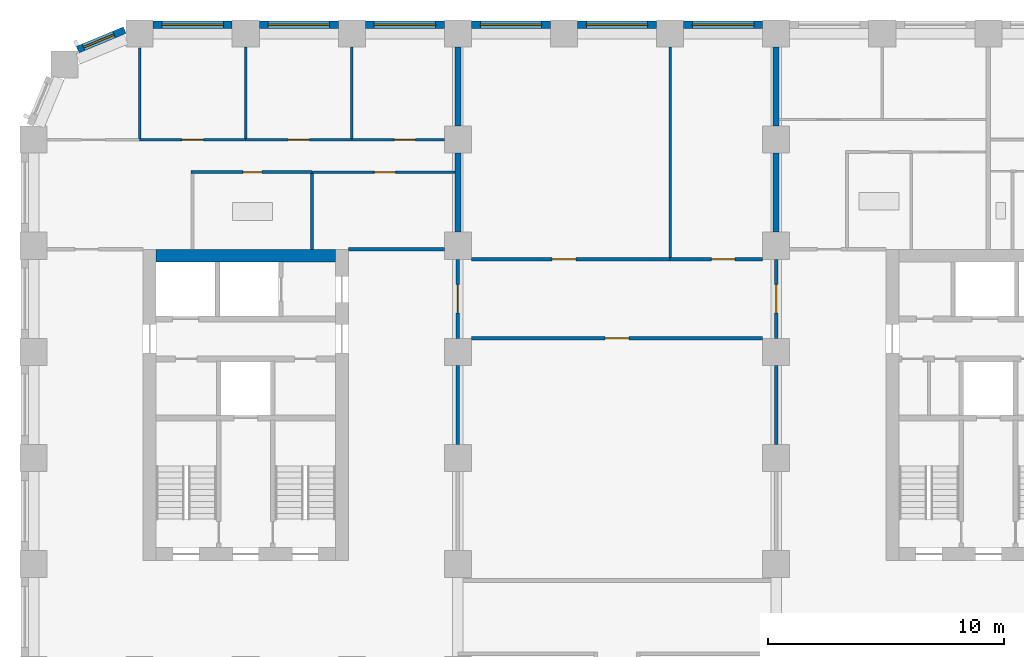
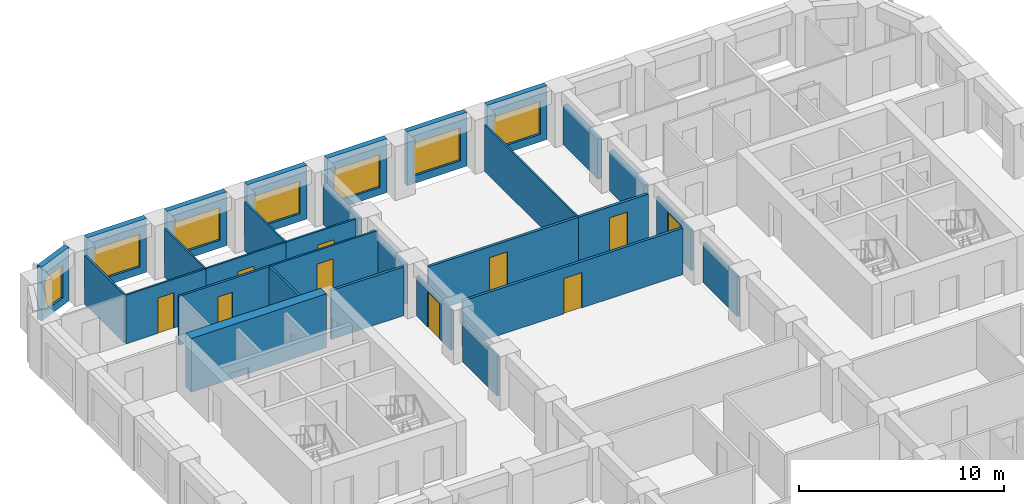
# One storey, part 7 of 12: 30 walls, 10 doors, 7 windows, 17 openings.
"""IFC4 building model written with IfcOpenShell, lengths in metres."""

from ifc_helpers import new_model, si_unit, direction, frame, frame_2d, origin, place, context, subcontext, project, spatial, rectangle, extrude, material, layer, layer_set, type_object, element, fill, save


model = new_model("IFC4")

# Units and contexts
model_context = context("Model", 3, precision=1e-05, world=origin(), true_north=direction((0.0, 1.0)))
body_context = subcontext(model_context, "Body", "Model", "MODEL_VIEW")
ifc_project = project(units=[si_unit("LENGTHUNIT", "METRE"), si_unit("AREAUNIT", "SQUARE_METRE"), si_unit("VOLUMEUNIT", "CUBIC_METRE"), si_unit("PLANEANGLEUNIT", "RADIAN"), si_unit("MASSUNIT", "GRAM", prefix="KILO")], contexts=[model_context])

# Site, building, storey
site_placement = place(None, origin())
site = spatial("IfcSite", under=ifc_project, at=site_placement, CompositionType="ELEMENT")
building_placement = place(site_placement, origin())
building = spatial("IfcBuilding", under=site, at=building_placement, Name="Girih Gate Residences", CompositionType="ELEMENT")
storey_placement = place(building_placement, frame((0.0, 0.0, 115.199951171875)))
storey = spatial("IfcBuildingStorey", under=building, at=storey_placement, Name="L32", CompositionType="ELEMENT", Elevation=115.199951171875)

# Walls
ifc_material_1 = material(Name="Gypsum board on steel studs", Category="steel")
ifc_layer_1 = layer(ifc_material_1, 0.25)
ifc_layer_set_1 = layer_set([ifc_layer_1], Name="Acoustic separating wall 250 mm")
wall_type_1 = type_object("IfcWallType", Name="Acoustic separating wall 250 mm", PredefinedType="PARTITIONING", material=ifc_layer_set_1)
for number, where, z_axis, x_axis, name in (
    (1, (18.0, 45.574951171875, 0.0), (0.0, 0.0, 1.0), (0.0, 1.0, 0.0), "L32 partition"),
    (2, (18.0, 41.074951171875, 0.0), (0.0, 0.0, 1.0), (0.0, 1.0, 0.0), "L32 partition"),
    (3, (31.5, 41.074951171875, 0.0), (0.0, 0.0, 1.0), (0.0, 1.0, 0.0), "L32 partition"),
    (4, (31.5, 45.574951171875, 0.0), (0.0, 0.0, 1.0), (0.0, 1.0, 0.0), "L32 partition"),
):
    element("IfcWall", number, at=place(storey_placement, frame(where, z_axis=z_axis, x_axis=x_axis)), inside=storey, type_object=wall_type_1, Name=name, PredefinedType="PARTITIONING", context=body_context, shape_type="SweptSolid", body=[
        extrude(rectangle(XDim=3.35009765625, YDim=0.25, at=frame_2d((1.675048828125, 0.0))), origin(), (0.0, 0.0, 1.0), 2.380126953125),
    ])
ifc_layer_2 = layer(ifc_material_1, 0.14990234375)
ifc_layer_set_2 = layer_set([ifc_layer_2], Name="Compartment wall 150 mm")
wall_type_2 = type_object("IfcWallType", Name="Compartment wall 150 mm", PredefinedType="PARTITIONING", material=ifc_layer_set_2)
wall_1_placement = place(storey_placement, frame((13.35009765625, 40.35009765625, 0.0), z_axis=(0.0, 0.0, 1.0), x_axis=(1.0, 0.0, 0.0)))
element("IfcWall", 5, at=wall_1_placement, inside=storey, type_object=wall_type_2, Name="L32 partition", PredefinedType="PARTITIONING", context=body_context, shape_type="SweptSolid", body=[
    extrude(rectangle(XDim=4.074951171875, YDim=0.14990234375, at=frame_2d((2.03759765625, 0.0))), origin(), (0.0, 0.0, 1.0), 2.900146484375),
])

# Wall, opening, door
wall_2_placement = place(storey_placement, frame((18.574951171875, 39.925048828125, 0.0), z_axis=(0.0, 0.0, 1.0), x_axis=(1.0, 0.0, 0.0)))
wall_2 = element("IfcWall", 6, at=wall_2_placement, inside=storey, type_object=wall_type_2, Name="L32 partition", PredefinedType="PARTITIONING", context=body_context, shape_type="SweptSolid", body=[
    extrude(rectangle(XDim=8.425048828125, YDim=0.14990234375, at=frame_2d((4.21240234375, 0.0))), origin(), (0.0, 0.0, 1.0), 2.75),
])
opening_1_placement = place(wall_2_placement, frame((3.425048828125, 0.0, 0.0)))
opening_1 = element("IfcOpeningElement", 7, at=opening_1_placement, cuts=wall_2, Name="Opening A32-039", PredefinedType="OPENING", context=body_context, shape_type="SweptSolid", body=[
    extrude(rectangle(XDim=1.0, YDim=2.10009765625, at=frame_2d((0.5, 1.050048828125))), frame((0.0, 0.0849609375, 0.0), z_axis=(0.0, -1.0, 0.0), x_axis=(1.0, 0.0, 0.0)), (0.0, 0.0, 1.0), 0.169921875),
])
ifc_material_2 = material(Name="Timber, fire-rated core", Category="wood")
door_type_1 = type_object("IfcDoorType", Name="Amenity room door 1000x2100 FD30S", OperationType="NOTDEFINED", PredefinedType="DOOR", material=ifc_material_2)
door_1_placement = place(opening_1_placement, origin())
door_1 = element("IfcDoor", 8, at=door_1_placement, inside=storey, type_object=door_type_1, Name="Door A32-039", OperationType="SINGLE_SWING_LEFT", OverallHeight=2.10009765625, OverallWidth=1.0, PredefinedType="DOOR", context=body_context, shape_type="SweptSolid", body=[
    extrude(rectangle(XDim=1.0, YDim=2.10009765625, at=frame_2d((0.5, 1.050048828125))), frame((0.0, 0.02490234375, 0.0), z_axis=(0.0, -1.0, 0.0), x_axis=(1.0, 0.0, 0.0)), (0.0, 0.0, 1.0), 0.050048828125),
])
fill(opening_1, door_1)

wall_3_placement = place(storey_placement, frame((27.0, 39.925048828125, 0.0), z_axis=(0.0, 0.0, 1.0), x_axis=(1.0, 0.0, 0.0)))
wall_3 = element("IfcWall", 9, at=wall_3_placement, inside=storey, type_object=wall_type_2, Name="L32 partition", PredefinedType="PARTITIONING", context=body_context, shape_type="SweptSolid", body=[
    extrude(rectangle(XDim=3.925048828125, YDim=0.14990234375, at=frame_2d((1.96240234375, 0.0))), origin(), (0.0, 0.0, 1.0), 2.75),
])
opening_2_placement = place(wall_3_placement, frame((1.75, 0.0, 0.0)))
opening_2 = element("IfcOpeningElement", 10, at=opening_2_placement, cuts=wall_3, Name="Opening A32-040", PredefinedType="OPENING", context=body_context, shape_type="SweptSolid", body=[
    extrude(rectangle(XDim=1.0, YDim=2.10009765625, at=frame_2d((0.5, 1.050048828125))), frame((0.0, 0.0849609375, 0.0), z_axis=(0.0, -1.0, 0.0), x_axis=(1.0, 0.0, 0.0)), (0.0, 0.0, 1.0), 0.169921875),
])
door_2_placement = place(opening_2_placement, origin())
door_2 = element("IfcDoor", 11, at=door_2_placement, inside=storey, type_object=door_type_1, Name="Door A32-040", OperationType="SINGLE_SWING_RIGHT", OverallHeight=2.10009765625, OverallWidth=1.0, PredefinedType="DOOR", context=body_context, shape_type="SweptSolid", body=[
    extrude(rectangle(XDim=1.0, YDim=2.10009765625, at=frame_2d((0.5, 1.050048828125))), frame((0.0, 0.02490234375, 0.0), z_axis=(0.0, -1.0, 0.0), x_axis=(1.0, 0.0, 0.0)), (0.0, 0.0, 1.0), 0.050048828125),
])
fill(opening_2, door_2)

wall_4_placement = place(storey_placement, frame((30.925048828125, 36.574951171875, 0.0), z_axis=(0.0, 0.0, 1.0), x_axis=(-1.0, 0.0, 0.0)))
wall_4 = element("IfcWall", 12, at=wall_4_placement, inside=storey, type_object=wall_type_2, Name="L32 partition", PredefinedType="PARTITIONING", context=body_context, shape_type="SweptSolid", body=[
    extrude(rectangle(XDim=12.35009765625, YDim=0.14990234375, at=frame_2d((6.175048828125, 0.0))), origin(), (0.0, 0.0, 1.0), 2.75),
])
opening_3_placement = place(wall_4_placement, frame((5.675048828125, 0.0, 0.0)))
opening_3 = element("IfcOpeningElement", 13, at=opening_3_placement, cuts=wall_4, Name="Opening A32-041", PredefinedType="OPENING", context=body_context, shape_type="SweptSolid", body=[
    extrude(rectangle(XDim=1.0, YDim=2.10009765625, at=frame_2d((0.5, 1.050048828125))), frame((0.0, 0.0849609375, 0.0), z_axis=(0.0, -1.0, 0.0), x_axis=(1.0, 0.0, 0.0)), (0.0, 0.0, 1.0), 0.169921875),
])
door_3_placement = place(opening_3_placement, origin())
door_3 = element("IfcDoor", 14, at=door_3_placement, inside=storey, type_object=door_type_1, Name="Door A32-041", OperationType="SINGLE_SWING_RIGHT", OverallHeight=2.10009765625, OverallWidth=1.0, PredefinedType="DOOR", context=body_context, shape_type="SweptSolid", body=[
    extrude(rectangle(XDim=1.0, YDim=2.10009765625, at=frame_2d((0.5, 1.050048828125))), frame((0.0, 0.02490234375, 0.0), z_axis=(0.0, -1.0, 0.0), x_axis=(1.0, 0.0, 0.0)), (0.0, 0.0, 1.0), 0.050048828125),
])
fill(opening_3, door_3)

wall_5_placement = place(storey_placement, frame((31.5, 36.574951171875, 0.0), z_axis=(0.0, 0.0, 1.0), x_axis=(0.0, 1.0, 0.0)))
wall_5 = element("IfcWall", 15, at=wall_5_placement, inside=storey, type_object=wall_type_2, Name="L32 partition", PredefinedType="PARTITIONING", context=body_context, shape_type="SweptSolid", body=[
    extrude(rectangle(XDim=3.35009765625, YDim=0.14990234375, at=frame_2d((1.675048828125, 0.0))), origin(), (0.0, 0.0, 1.0), 2.380126953125),
])
opening_4_placement = place(wall_5_placement, frame((1.074951171875, 0.0, 0.0)))
opening_4 = element("IfcOpeningElement", 16, at=opening_4_placement, cuts=wall_5, Name="Opening A32-042", PredefinedType="OPENING", context=body_context, shape_type="SweptSolid", body=[
    extrude(rectangle(XDim=1.199951171875, YDim=2.10009765625, at=frame_2d((0.60009765625, 1.050048828125))), frame((0.0, 0.0849609375, 0.0), z_axis=(0.0, -1.0, 0.0), x_axis=(1.0, 0.0, 0.0)), (0.0, 0.0, 1.0), 0.169921875),
])
door_type_2 = type_object("IfcDoorType", Name="Corridor fire door 1200x2100 FD30S", OperationType="NOTDEFINED", PredefinedType="DOOR", material=ifc_material_2)
door_4_placement = place(opening_4_placement, origin())
door_4 = element("IfcDoor", 17, at=door_4_placement, inside=storey, type_object=door_type_2, Name="Door A32-042", OperationType="SINGLE_SWING_LEFT", OverallHeight=2.10009765625, OverallWidth=1.199951171875, PredefinedType="DOOR", context=body_context, shape_type="SweptSolid", body=[
    extrude(rectangle(XDim=1.199951171875, YDim=2.10009765625, at=frame_2d((0.60009765625, 1.050048828125))), frame((0.0, 0.02490234375, 0.0), z_axis=(0.0, -1.0, 0.0), x_axis=(1.0, 0.0, 0.0)), (0.0, 0.0, 1.0), 0.050048828125),
])
fill(opening_4, door_4)

wall_6_placement = place(storey_placement, frame((18.0, 39.925048828125, 0.0), z_axis=(0.0, 0.0, 1.0), x_axis=(0.0, -1.0, 0.0)))
wall_6 = element("IfcWall", 18, at=wall_6_placement, inside=storey, type_object=wall_type_2, Name="L32 partition", PredefinedType="PARTITIONING", context=body_context, shape_type="SweptSolid", body=[
    extrude(rectangle(XDim=3.35009765625, YDim=0.14990234375, at=frame_2d((1.675048828125, 0.0))), origin(), (0.0, 0.0, 1.0), 2.380126953125),
])
opening_5_placement = place(wall_6_placement, frame((1.074951171875, 0.0, 0.0)))
opening_5 = element("IfcOpeningElement", 19, at=opening_5_placement, cuts=wall_6, Name="Opening A32-043", PredefinedType="OPENING", context=body_context, shape_type="SweptSolid", body=[
    extrude(rectangle(XDim=1.199951171875, YDim=2.10009765625, at=frame_2d((0.60009765625, 1.050048828125))), frame((0.0, 0.0849609375, 0.0), z_axis=(0.0, -1.0, 0.0), x_axis=(1.0, 0.0, 0.0)), (0.0, 0.0, 1.0), 0.169921875),
])
door_5_placement = place(opening_5_placement, origin())
door_5 = element("IfcDoor", 20, at=door_5_placement, inside=storey, type_object=door_type_2, Name="Door A32-043", OperationType="SINGLE_SWING_LEFT", OverallHeight=2.10009765625, OverallWidth=1.199951171875, PredefinedType="DOOR", context=body_context, shape_type="SweptSolid", body=[
    extrude(rectangle(XDim=1.199951171875, YDim=2.10009765625, at=frame_2d((0.60009765625, 1.050048828125))), frame((0.0, 0.02490234375, 0.0), z_axis=(0.0, -1.0, 0.0), x_axis=(1.0, 0.0, 0.0)), (0.0, 0.0, 1.0), 0.050048828125),
])
fill(opening_5, door_5)

# Walls
for number, where, z_axis, x_axis, name in (
    (21, (31.5, 32.074951171875, 0.0), (0.0, 0.0, 1.0), (0.0, 1.0, 0.0), "L32 partition"),
    (22, (18.0, 32.074951171875, 0.0), (0.0, 0.0, 1.0), (0.0, 1.0, 0.0), "L32 partition"),
):
    element("IfcWall", number, at=place(storey_placement, frame(where, z_axis=z_axis, x_axis=x_axis)), inside=storey, type_object=wall_type_2, Name=name, PredefinedType="PARTITIONING", context=body_context, shape_type="SweptSolid", body=[
        extrude(rectangle(XDim=3.35009765625, YDim=0.14990234375, at=frame_2d((1.675048828125, 0.0))), origin(), (0.0, 0.0, 1.0), 2.380126953125),
    ])
ifc_material_3 = material(Name="Concrete C60/75", Category="concrete")
ifc_layer_3 = layer(ifc_material_3, 0.550048828125)
ifc_layer_set_3 = layer_set([ifc_layer_3], Name="Core wall RC 550 Concrete C60/75")
wall_type_3 = type_object("IfcWallType", Name="Core wall RC 550 Concrete C60/75", PredefinedType="SOLIDWALL", material=ifc_layer_set_3)
wall_7_placement = place(storey_placement, frame((5.199951171875, 40.074951171875, 0.0), z_axis=(0.0, 0.0, 1.0), x_axis=(1.0, 0.0, 0.0)))
element("IfcWall", 23, at=wall_7_placement, inside=storey, type_object=wall_type_3, Name="Core wall W-N L32", PredefinedType="SOLIDWALL", context=body_context, shape_type="SweptSolid", body=[
    extrude(rectangle(XDim=7.60009765625, YDim=0.550048828125, at=frame_2d((3.800048828125, 0.0))), origin(), (0.0, 0.0, 1.0), 3.199951171875),
])
ifc_layer_4 = layer(ifc_material_1, 0.10009765625)
ifc_layer_set_4 = layer_set([ifc_layer_4], Name="Partition 100 mm")
wall_type_4 = type_object("IfcWallType", Name="Partition 100 mm", PredefinedType="PARTITIONING", material=ifc_layer_set_4)
wall_8_placement = place(storey_placement, frame((9.0, 45.050048828125, 0.0), z_axis=(0.0, 0.0, 1.0), x_axis=(0.0, 1.0, 0.0)))
element("IfcWall", 24, at=wall_8_placement, inside=storey, type_object=wall_type_4, Name="L32 partition", PredefinedType="PARTITIONING", context=body_context, shape_type="SweptSolid", body=[
    extrude(rectangle(XDim=3.875, YDim=0.10009765625, at=frame_2d((1.9375, 0.0))), origin(), (0.0, 0.0, 1.0), 2.900146484375),
])

# Wall, opening, door
wall_9_placement = place(storey_placement, frame((4.5, 45.0, 0.0), z_axis=(0.0, 0.0, 1.0), x_axis=(1.0, 0.0, 0.0)))
wall_9 = element("IfcWall", 25, at=wall_9_placement, inside=storey, type_object=wall_type_4, Name="L32 partition", PredefinedType="PARTITIONING", context=body_context, shape_type="SweptSolid", body=[
    extrude(rectangle(XDim=4.5, YDim=0.10009765625, at=frame_2d((2.25, 0.0))), origin(), (0.0, 0.0, 1.0), 2.900146484375),
])
opening_6_placement = place(wall_9_placement, frame((1.800048828125, 0.0, 0.0)))
opening_6 = element("IfcOpeningElement", 26, at=opening_6_placement, cuts=wall_9, Name="Opening A32-011", PredefinedType="OPENING", context=body_context, shape_type="SweptSolid", body=[
    extrude(rectangle(XDim=0.89990234375, YDim=2.10009765625, at=frame_2d((0.449951171875, 1.050048828125))), frame((0.0, 0.06005859375, 0.0), z_axis=(0.0, -1.0, 0.0), x_axis=(1.0, 0.0, 0.0)), (0.0, 0.0, 1.0), 0.1201171875),
])
ifc_material_4 = material(Name="Timber", Category="wood")
door_type_3 = type_object("IfcDoorType", Name="Bedroom door 900x2100", OperationType="NOTDEFINED", PredefinedType="DOOR", material=ifc_material_4)
door_6_placement = place(opening_6_placement, origin())
door_6 = element("IfcDoor", 27, at=door_6_placement, inside=storey, type_object=door_type_3, Name="Door A32-011", OperationType="SINGLE_SWING_RIGHT", OverallHeight=2.10009765625, OverallWidth=0.89990234375, PredefinedType="DOOR", context=body_context, shape_type="SweptSolid", body=[
    extrude(rectangle(XDim=0.89990234375, YDim=2.10009765625, at=frame_2d((0.449951171875, 1.050048828125))), frame((0.0, 0.02490234375, 0.0), z_axis=(0.0, -1.0, 0.0), x_axis=(1.0, 0.0, 0.0)), (0.0, 0.0, 1.0), 0.050048828125),
])
fill(opening_6, door_6)

# Walls
wall_10_placement = place(storey_placement, frame((4.5, 45.050048828125, 0.0), z_axis=(0.0, 0.0, 1.0), x_axis=(0.0, 1.0, 0.0)))
element("IfcWall", 28, at=wall_10_placement, inside=storey, type_object=wall_type_4, Name="L32 partition", PredefinedType="PARTITIONING", context=body_context, shape_type="SweptSolid", body=[
    extrude(rectangle(XDim=3.82763671875, YDim=0.10009765625, at=frame_2d((1.913818359375, 0.0))), origin(), (0.0, 0.0, 1.0), 2.900146484375),
])
wall_11_placement = place(storey_placement, frame((13.5, 45.050048828125, 0.0), z_axis=(0.0, 0.0, 1.0), x_axis=(0.0, 1.0, 0.0)))
element("IfcWall", 29, at=wall_11_placement, inside=storey, type_object=wall_type_4, Name="L32 partition", PredefinedType="PARTITIONING", context=body_context, shape_type="SweptSolid", body=[
    extrude(rectangle(XDim=3.875, YDim=0.10009765625, at=frame_2d((1.9375, 0.0))), origin(), (0.0, 0.0, 1.0), 2.900146484375),
])

# Wall, opening, door
wall_12_placement = place(storey_placement, frame((9.0, 45.0, 0.0), z_axis=(0.0, 0.0, 1.0), x_axis=(1.0, 0.0, 0.0)))
wall_12 = element("IfcWall", 30, at=wall_12_placement, inside=storey, type_object=wall_type_4, Name="L32 partition", PredefinedType="PARTITIONING", context=body_context, shape_type="SweptSolid", body=[
    extrude(rectangle(XDim=4.5, YDim=0.10009765625, at=frame_2d((2.25, 0.0))), origin(), (0.0, 0.0, 1.0), 2.900146484375),
])
opening_7_placement = place(wall_12_placement, frame((1.800048828125, 0.0, 0.0)))
opening_7 = element("IfcOpeningElement", 31, at=opening_7_placement, cuts=wall_12, Name="Opening A32-012", PredefinedType="OPENING", context=body_context, shape_type="SweptSolid", body=[
    extrude(rectangle(XDim=0.89990234375, YDim=2.10009765625, at=frame_2d((0.449951171875, 1.050048828125))), frame((0.0, 0.06005859375, 0.0), z_axis=(0.0, -1.0, 0.0), x_axis=(1.0, 0.0, 0.0)), (0.0, 0.0, 1.0), 0.1201171875),
])
door_7_placement = place(opening_7_placement, origin())
door_7 = element("IfcDoor", 32, at=door_7_placement, inside=storey, type_object=door_type_3, Name="Door A32-012", OperationType="SINGLE_SWING_LEFT", OverallHeight=2.10009765625, OverallWidth=0.89990234375, PredefinedType="DOOR", context=body_context, shape_type="SweptSolid", body=[
    extrude(rectangle(XDim=0.89990234375, YDim=2.10009765625, at=frame_2d((0.449951171875, 1.050048828125))), frame((0.0, 0.02490234375, 0.0), z_axis=(0.0, -1.0, 0.0), x_axis=(1.0, 0.0, 0.0)), (0.0, 0.0, 1.0), 0.050048828125),
])
fill(opening_7, door_7)

wall_13_placement = place(storey_placement, frame((13.5, 45.0, 0.0), z_axis=(0.0, 0.0, 1.0), x_axis=(1.0, 0.0, 0.0)))
wall_13 = element("IfcWall", 33, at=wall_13_placement, inside=storey, type_object=wall_type_4, Name="L32 partition", PredefinedType="PARTITIONING", context=body_context, shape_type="SweptSolid", body=[
    extrude(rectangle(XDim=3.925048828125, YDim=0.10009765625, at=frame_2d((1.96240234375, 0.0))), origin(), (0.0, 0.0, 1.0), 2.900146484375),
])
opening_8_placement = place(wall_13_placement, frame((1.800048828125, 0.0, 0.0)))
opening_8 = element("IfcOpeningElement", 34, at=opening_8_placement, cuts=wall_13, Name="Opening A32-013", PredefinedType="OPENING", context=body_context, shape_type="SweptSolid", body=[
    extrude(rectangle(XDim=0.89990234375, YDim=2.10009765625, at=frame_2d((0.449951171875, 1.050048828125))), frame((0.0, 0.06005859375, 0.0), z_axis=(0.0, -1.0, 0.0), x_axis=(1.0, 0.0, 0.0)), (0.0, 0.0, 1.0), 0.1201171875),
])
door_8_placement = place(opening_8_placement, origin())
door_8 = element("IfcDoor", 35, at=door_8_placement, inside=storey, type_object=door_type_3, Name="Door A32-013", OperationType="SINGLE_SWING_RIGHT", OverallHeight=2.10009765625, OverallWidth=0.89990234375, PredefinedType="DOOR", context=body_context, shape_type="SweptSolid", body=[
    extrude(rectangle(XDim=0.89990234375, YDim=2.10009765625, at=frame_2d((0.449951171875, 1.050048828125))), frame((0.0, 0.02490234375, 0.0), z_axis=(0.0, -1.0, 0.0), x_axis=(1.0, 0.0, 0.0)), (0.0, 0.0, 1.0), 0.050048828125),
])
fill(opening_8, door_8)

wall_14_placement = place(storey_placement, frame((17.875, 43.6201171875, 0.0), z_axis=(0.0, 0.0, 1.0), x_axis=(-1.0, 0.0, 0.0)))
wall_14 = element("IfcWall", 36, at=wall_14_placement, inside=storey, type_object=wall_type_4, Name="L32 partition", PredefinedType="PARTITIONING", context=body_context, shape_type="SweptSolid", body=[
    extrude(rectangle(XDim=6.064208984375, YDim=0.10009765625, at=frame_2d((3.0322265625, 0.0))), origin(), (0.0, 0.0, 1.0), 2.900146484375),
])
opening_9_placement = place(wall_14_placement, frame((2.51953125, 0.0, 0.0)))
opening_9 = element("IfcOpeningElement", 37, at=opening_9_placement, cuts=wall_14, Name="Opening A32-014", PredefinedType="OPENING", context=body_context, shape_type="SweptSolid", body=[
    extrude(rectangle(XDim=0.89990234375, YDim=2.10009765625, at=frame_2d((0.449951171875, 1.050048828125))), frame((0.0, 0.06005859375, 0.0), z_axis=(0.0, -1.0, 0.0), x_axis=(1.0, 0.0, 0.0)), (0.0, 0.0, 1.0), 0.1201171875),
])
door_type_4 = type_object("IfcDoorType", Name="Kitchen door 900x2100", OperationType="NOTDEFINED", PredefinedType="DOOR", material=ifc_material_4)
door_9_placement = place(opening_9_placement, origin())
door_9 = element("IfcDoor", 38, at=door_9_placement, inside=storey, type_object=door_type_4, Name="Door A32-014", OperationType="SINGLE_SWING_LEFT", OverallHeight=2.10009765625, OverallWidth=0.89990234375, PredefinedType="DOOR", context=body_context, shape_type="SweptSolid", body=[
    extrude(rectangle(XDim=0.89990234375, YDim=2.10009765625, at=frame_2d((0.449951171875, 1.050048828125))), frame((0.0, 0.02490234375, 0.0), z_axis=(0.0, -1.0, 0.0), x_axis=(1.0, 0.0, 0.0)), (0.0, 0.0, 1.0), 0.050048828125),
])
fill(opening_9, door_9)

# Wall
wall_15_placement = place(storey_placement, frame((27.0, 40.0, 0.0), z_axis=(0.0, 0.0, 1.0), x_axis=(0.0, 1.0, 0.0)))
element("IfcWall", 39, at=wall_15_placement, inside=storey, type_object=wall_type_4, Name="L32 partition", PredefinedType="PARTITIONING", context=body_context, shape_type="SweptSolid", body=[
    extrude(rectangle(XDim=8.925048828125, YDim=0.10009765625, at=frame_2d((4.46240234375, 0.0))), origin(), (0.0, 0.0, 1.0), 2.75),
])

# Wall, opening, window
ifc_material_5 = material(Name="Precast concrete C50/60", Category="concrete")
ifc_layer_5 = layer(ifc_material_5, 0.080078125, Name="Outer leaf")
ifc_material_6 = material(Name="Rigid PIR insulation")
ifc_layer_6 = layer(ifc_material_6, 0.14990234375, Name="Insulation")
ifc_material_7 = material(Name="Precast concrete C40/50", Category="concrete")
ifc_layer_7 = layer(ifc_material_7, 0.070068359375, Name="Inner leaf")
ifc_layer_set_5 = layer_set([ifc_layer_5, ifc_layer_6, ifc_layer_7], Name="Precast concrete C50/60 external wall 300")
wall_type_5 = type_object("IfcWallType", Name="Precast concrete C50/60 external wall 300", PredefinedType="SOLIDWALL", material=ifc_layer_set_5)
wall_16_placement = place(storey_placement, frame((27.574951171875, 49.875, 0.0), z_axis=(0.0, 0.0, 1.0), x_axis=(1.0, 0.0, 0.0)))
wall_16 = element("IfcWall", 40, at=wall_16_placement, inside=storey, type_object=wall_type_5, Name="External wall N0450_0495.3", PredefinedType="SOLIDWALL", context=body_context, shape_type="SweptSolid", body=[
    extrude(rectangle(XDim=3.35009765625, YDim=0.300048828125, at=frame_2d((1.675048828125, 0.0))), origin(), (0.0, 0.0, 1.0), 3.199951171875),
])
opening_10_placement = place(wall_16_placement, frame((0.375, 0.0, 0.449951171875)))
opening_10 = element("IfcOpeningElement", 41, at=opening_10_placement, cuts=wall_16, Name="Opening W-1A", PredefinedType="OPENING", context=body_context, shape_type="SweptSolid", body=[
    extrude(rectangle(XDim=2.60009765625, YDim=1.949951171875, at=frame_2d((1.300048828125, 0.97509765625))), frame((0.0, 0.159912109375, 0.0), z_axis=(0.0, -1.0, 0.0), x_axis=(1.0, 0.0, 0.0)), (0.0, 0.0, 1.0), 0.320068359375),
])
ifc_material_8 = material(Name="Double glazing in aluminium frame", Category="aluminium")
window_type_1 = type_object("IfcWindowType", Name="Window W-1A 2600x1950", PartitioningType="SINGLE_PANEL", PredefinedType="WINDOW", material=ifc_material_8)
window_1_placement = place(opening_10_placement, origin())
window_1 = element("IfcWindow", 42, at=window_1_placement, inside=storey, type_object=window_type_1, Name="Window W-1A N0450_0495.3", OverallHeight=1.949951171875, OverallWidth=2.60009765625, PartitioningType="SINGLE_PANEL", PredefinedType="WINDOW", context=body_context, shape_type="SweptSolid", body=[
    extrude(rectangle(XDim=2.60009765625, YDim=1.949951171875, at=frame_2d((1.300048828125, 0.97509765625))), frame((0.0, 0.030029296875, 0.0), z_axis=(0.0, -1.0, 0.0), x_axis=(1.0, 0.0, 0.0)), (0.0, 0.0, 1.0), 0.06005859375),
])
fill(opening_10, window_1)

wall_17_placement = place(storey_placement, frame((23.074951171875, 49.875, 0.0), z_axis=(0.0, 0.0, 1.0), x_axis=(1.0, 0.0, 0.0)))
wall_17 = element("IfcWall", 43, at=wall_17_placement, inside=storey, type_object=wall_type_5, Name="External wall N0450_0495.4", PredefinedType="SOLIDWALL", context=body_context, shape_type="SweptSolid", body=[
    extrude(rectangle(XDim=3.35009765625, YDim=0.300048828125, at=frame_2d((1.675048828125, 0.0))), origin(), (0.0, 0.0, 1.0), 3.199951171875),
])
opening_11_placement = place(wall_17_placement, frame((0.375, 0.0, 0.449951171875)))
opening_11 = element("IfcOpeningElement", 44, at=opening_11_placement, cuts=wall_17, Name="Opening W-1A", PredefinedType="OPENING", context=body_context, shape_type="SweptSolid", body=[
    extrude(rectangle(XDim=2.60009765625, YDim=1.949951171875, at=frame_2d((1.300048828125, 0.97509765625))), frame((0.0, 0.159912109375, 0.0), z_axis=(0.0, -1.0, 0.0), x_axis=(1.0, 0.0, 0.0)), (0.0, 0.0, 1.0), 0.320068359375),
])
window_2_placement = place(opening_11_placement, origin())
window_2 = element("IfcWindow", 45, at=window_2_placement, inside=storey, type_object=window_type_1, Name="Window W-1A N0450_0495.4", OverallHeight=1.949951171875, OverallWidth=2.60009765625, PartitioningType="SINGLE_PANEL", PredefinedType="WINDOW", context=body_context, shape_type="SweptSolid", body=[
    extrude(rectangle(XDim=2.60009765625, YDim=1.949951171875, at=frame_2d((1.300048828125, 0.97509765625))), frame((0.0, 0.030029296875, 0.0), z_axis=(0.0, -1.0, 0.0), x_axis=(1.0, 0.0, 0.0)), (0.0, 0.0, 1.0), 0.06005859375),
])
fill(opening_11, window_2)

wall_18_placement = place(storey_placement, frame((18.574951171875, 49.875, 0.0), z_axis=(0.0, 0.0, 1.0), x_axis=(1.0, 0.0, 0.0)))
wall_18 = element("IfcWall", 46, at=wall_18_placement, inside=storey, type_object=wall_type_5, Name="External wall N0450_0495.5", PredefinedType="SOLIDWALL", context=body_context, shape_type="SweptSolid", body=[
    extrude(rectangle(XDim=3.35009765625, YDim=0.300048828125, at=frame_2d((1.675048828125, 0.0))), origin(), (0.0, 0.0, 1.0), 3.199951171875),
])
opening_12_placement = place(wall_18_placement, frame((0.375, 0.0, 0.449951171875)))
opening_12 = element("IfcOpeningElement", 47, at=opening_12_placement, cuts=wall_18, Name="Opening W-1A", PredefinedType="OPENING", context=body_context, shape_type="SweptSolid", body=[
    extrude(rectangle(XDim=2.60009765625, YDim=1.949951171875, at=frame_2d((1.300048828125, 0.97509765625))), frame((0.0, 0.159912109375, 0.0), z_axis=(0.0, -1.0, 0.0), x_axis=(1.0, 0.0, 0.0)), (0.0, 0.0, 1.0), 0.320068359375),
])
window_3_placement = place(opening_12_placement, origin())
window_3 = element("IfcWindow", 48, at=window_3_placement, inside=storey, type_object=window_type_1, Name="Window W-1A N0450_0495.5", OverallHeight=1.949951171875, OverallWidth=2.60009765625, PartitioningType="SINGLE_PANEL", PredefinedType="WINDOW", context=body_context, shape_type="SweptSolid", body=[
    extrude(rectangle(XDim=2.60009765625, YDim=1.949951171875, at=frame_2d((1.300048828125, 0.97509765625))), frame((0.0, 0.030029296875, 0.0), z_axis=(0.0, -1.0, 0.0), x_axis=(1.0, 0.0, 0.0)), (0.0, 0.0, 1.0), 0.06005859375),
])
fill(opening_12, window_3)

wall_19_placement = place(storey_placement, frame((14.074951171875, 49.875, 0.0), z_axis=(0.0, 0.0, 1.0), x_axis=(1.0, 0.0, 0.0)))
wall_19 = element("IfcWall", 49, at=wall_19_placement, inside=storey, type_object=wall_type_5, Name="External wall N0450_0495.6", PredefinedType="SOLIDWALL", context=body_context, shape_type="SweptSolid", body=[
    extrude(rectangle(XDim=3.35009765625, YDim=0.300048828125, at=frame_2d((1.675048828125, 0.0))), origin(), (0.0, 0.0, 1.0), 3.199951171875),
])
opening_13_placement = place(wall_19_placement, frame((0.375, 0.0, 0.449951171875)))
opening_13 = element("IfcOpeningElement", 50, at=opening_13_placement, cuts=wall_19, Name="Opening W-1A", PredefinedType="OPENING", context=body_context, shape_type="SweptSolid", body=[
    extrude(rectangle(XDim=2.60009765625, YDim=1.949951171875, at=frame_2d((1.300048828125, 0.97509765625))), frame((0.0, 0.159912109375, 0.0), z_axis=(0.0, -1.0, 0.0), x_axis=(1.0, 0.0, 0.0)), (0.0, 0.0, 1.0), 0.320068359375),
])
window_4_placement = place(opening_13_placement, origin())
window_4 = element("IfcWindow", 51, at=window_4_placement, inside=storey, type_object=window_type_1, Name="Window W-1A N0450_0495.6", OverallHeight=1.949951171875, OverallWidth=2.60009765625, PartitioningType="SINGLE_PANEL", PredefinedType="WINDOW", context=body_context, shape_type="SweptSolid", body=[
    extrude(rectangle(XDim=2.60009765625, YDim=1.949951171875, at=frame_2d((1.300048828125, 0.97509765625))), frame((0.0, 0.030029296875, 0.0), z_axis=(0.0, -1.0, 0.0), x_axis=(1.0, 0.0, 0.0)), (0.0, 0.0, 1.0), 0.06005859375),
])
fill(opening_13, window_4)

wall_20_placement = place(storey_placement, frame((9.574951171875, 49.875, 0.0), z_axis=(0.0, 0.0, 1.0), x_axis=(1.0, 0.0, 0.0)))
wall_20 = element("IfcWall", 52, at=wall_20_placement, inside=storey, type_object=wall_type_5, Name="External wall N0450_0495.7", PredefinedType="SOLIDWALL", context=body_context, shape_type="SweptSolid", body=[
    extrude(rectangle(XDim=3.35009765625, YDim=0.300048828125, at=frame_2d((1.675048828125, 0.0))), origin(), (0.0, 0.0, 1.0), 3.199951171875),
])
opening_14_placement = place(wall_20_placement, frame((0.375, 0.0, 0.449951171875)))
opening_14 = element("IfcOpeningElement", 53, at=opening_14_placement, cuts=wall_20, Name="Opening W-1A", PredefinedType="OPENING", context=body_context, shape_type="SweptSolid", body=[
    extrude(rectangle(XDim=2.60009765625, YDim=1.949951171875, at=frame_2d((1.300048828125, 0.97509765625))), frame((0.0, 0.159912109375, 0.0), z_axis=(0.0, -1.0, 0.0), x_axis=(1.0, 0.0, 0.0)), (0.0, 0.0, 1.0), 0.320068359375),
])
window_5_placement = place(opening_14_placement, origin())
window_5 = element("IfcWindow", 54, at=window_5_placement, inside=storey, type_object=window_type_1, Name="Window W-1A N0450_0495.7", OverallHeight=1.949951171875, OverallWidth=2.60009765625, PartitioningType="SINGLE_PANEL", PredefinedType="WINDOW", context=body_context, shape_type="SweptSolid", body=[
    extrude(rectangle(XDim=2.60009765625, YDim=1.949951171875, at=frame_2d((1.300048828125, 0.97509765625))), frame((0.0, 0.030029296875, 0.0), z_axis=(0.0, -1.0, 0.0), x_axis=(1.0, 0.0, 0.0)), (0.0, 0.0, 1.0), 0.06005859375),
])
fill(opening_14, window_5)

wall_21_placement = place(storey_placement, frame((5.074951171875, 49.875, 0.0), z_axis=(0.0, 0.0, 1.0), x_axis=(1.0, 0.0, 0.0)))
wall_21 = element("IfcWall", 55, at=wall_21_placement, inside=storey, type_object=wall_type_5, Name="External wall N0450_0495.8", PredefinedType="SOLIDWALL", context=body_context, shape_type="SweptSolid", body=[
    extrude(rectangle(XDim=3.35009765625, YDim=0.300048828125, at=frame_2d((1.675048828125, 0.0))), origin(), (0.0, 0.0, 1.0), 3.199951171875),
])
opening_15_placement = place(wall_21_placement, frame((0.375, 0.0, 0.449951171875)))
opening_15 = element("IfcOpeningElement", 56, at=opening_15_placement, cuts=wall_21, Name="Opening W-1A", PredefinedType="OPENING", context=body_context, shape_type="SweptSolid", body=[
    extrude(rectangle(XDim=2.60009765625, YDim=1.949951171875, at=frame_2d((1.300048828125, 0.97509765625))), frame((0.0, 0.159912109375, 0.0), z_axis=(0.0, -1.0, 0.0), x_axis=(1.0, 0.0, 0.0)), (0.0, 0.0, 1.0), 0.320068359375),
])
window_6_placement = place(opening_15_placement, origin())
window_6 = element("IfcWindow", 57, at=window_6_placement, inside=storey, type_object=window_type_1, Name="Window W-1A N0450_0495.8", OverallHeight=1.949951171875, OverallWidth=2.60009765625, PartitioningType="SINGLE_PANEL", PredefinedType="WINDOW", context=body_context, shape_type="SweptSolid", body=[
    extrude(rectangle(XDim=2.60009765625, YDim=1.949951171875, at=frame_2d((1.300048828125, 0.97509765625))), frame((0.0, 0.030029296875, 0.0), z_axis=(0.0, -1.0, 0.0), x_axis=(1.0, 0.0, 0.0)), (0.0, 0.0, 1.0), 0.06005859375),
])
fill(opening_15, window_6)

wall_22_placement = place(storey_placement, frame((1.86865234375, 48.81591796875, 0.0), z_axis=(0.0, 0.0, 1.0), x_axis=(0.923862802911, 0.382723818695, 0.0)))
wall_22 = element("IfcWall", 58, at=wall_22_placement, inside=storey, type_object=wall_type_5, Name="External wall NW0045_0495.0", PredefinedType="SOLIDWALL", context=body_context, shape_type="SweptSolid", body=[
    extrude(rectangle(XDim=2.163818359375, YDim=0.300048828125, at=frame_2d((1.08203125, 0.0))), origin(), (0.0, 0.0, 1.0), 3.199951171875),
])
opening_16_placement = place(wall_22_placement, frame((0.270751953125, 0.0, 0.449951171875)))
opening_16 = element("IfcOpeningElement", 59, at=opening_16_placement, cuts=wall_22, Name="Opening W-2D", PredefinedType="OPENING", context=body_context, shape_type="SweptSolid", body=[
    extrude(rectangle(XDim=1.39990234375, YDim=1.949951171875, at=frame_2d((0.699951171875, 0.97509765625))), frame((0.0, 0.159912109375, 0.0), z_axis=(0.0, -1.0, 0.0), x_axis=(1.0, 0.0, 0.0)), (0.0, 0.0, 1.0), 0.320068359375),
])
window_type_2 = type_object("IfcWindowType", Name="Window W-2D 1400x1950", PartitioningType="SINGLE_PANEL", PredefinedType="WINDOW", material=ifc_material_8)
window_7_placement = place(opening_16_placement, origin())
window_7 = element("IfcWindow", 60, at=window_7_placement, inside=storey, type_object=window_type_2, Name="Window W-2D NW0045_0495.0", OverallHeight=1.949951171875, OverallWidth=1.39990234375, PartitioningType="SINGLE_PANEL", PredefinedType="WINDOW", context=body_context, shape_type="SweptSolid", body=[
    extrude(rectangle(XDim=1.39990234375, YDim=1.949951171875, at=frame_2d((0.699951171875, 0.97509765625))), frame((0.0, 0.030029296875, 0.0), z_axis=(0.0, -1.0, 0.0), x_axis=(1.0, 0.0, 0.0)), (0.0, 0.0, 1.0), 0.06005859375),
])
fill(opening_16, window_7)

# Wall, opening, door
ifc_layer_8 = layer(ifc_material_1, 0.125)
ifc_layer_set_6 = layer_set([ifc_layer_8], Name="Wet room wall 125 mm")
wall_type_6 = type_object("IfcWallType", Name="Wet room wall 125 mm", PredefinedType="PARTITIONING", material=ifc_layer_set_6)
wall_23_placement = place(storey_placement, frame((11.810791015625, 43.6201171875, 0.0), z_axis=(0.0, 0.0, 1.0), x_axis=(-1.0, 0.0, 0.0)))
wall_23 = element("IfcWall", 61, at=wall_23_placement, inside=storey, type_object=wall_type_6, Name="L32 partition", PredefinedType="PARTITIONING", context=body_context, shape_type="SweptSolid", body=[
    extrude(rectangle(XDim=5.123291015625, YDim=0.125, at=frame_2d((2.5615234375, 0.0))), origin(), (0.0, 0.0, 1.0), 2.900146484375),
])
opening_17_placement = place(wall_23_placement, frame((2.13037109375, 0.0, 0.0)))
opening_17 = element("IfcOpeningElement", 62, at=opening_17_placement, cuts=wall_23, Name="Opening A32-010", PredefinedType="OPENING", context=body_context, shape_type="SweptSolid", body=[
    extrude(rectangle(XDim=0.800048828125, YDim=2.10009765625, at=frame_2d((0.39990234375, 1.050048828125))), frame((0.0, 0.072509765625, 0.0), z_axis=(0.0, -1.0, 0.0), x_axis=(1.0, 0.0, 0.0)), (0.0, 0.0, 1.0), 0.14501953125),
])
door_type_5 = type_object("IfcDoorType", Name="Bathroom door 800x2100", OperationType="NOTDEFINED", PredefinedType="DOOR", material=ifc_material_4)
door_10_placement = place(opening_17_placement, origin())
door_10 = element("IfcDoor", 63, at=door_10_placement, inside=storey, type_object=door_type_5, Name="Door A32-010", OperationType="SINGLE_SWING_LEFT", OverallHeight=2.10009765625, OverallWidth=0.800048828125, PredefinedType="DOOR", context=body_context, shape_type="SweptSolid", body=[
    extrude(rectangle(XDim=0.800048828125, YDim=2.10009765625, at=frame_2d((0.39990234375, 1.050048828125))), frame((0.0, 0.02490234375, 0.0), z_axis=(0.0, -1.0, 0.0), x_axis=(1.0, 0.0, 0.0)), (0.0, 0.0, 1.0), 0.050048828125),
])
fill(opening_17, door_10)

# Wall
wall_24_placement = place(storey_placement, frame((11.81103515625, 40.35009765625, 0.0), z_axis=(0.0, 0.0, 1.0), x_axis=(0.0, 1.0, 0.0)))
element("IfcWall", 64, at=wall_24_placement, inside=storey, type_object=wall_type_6, Name="L32 partition", PredefinedType="PARTITIONING", context=body_context, shape_type="SweptSolid", body=[
    extrude(rectangle(XDim=3.20751953125, YDim=0.125, at=frame_2d((1.603759765625, 0.0))), origin(), (0.0, 0.0, 1.0), 2.900146484375),
])

save(model, "model.ifc")
